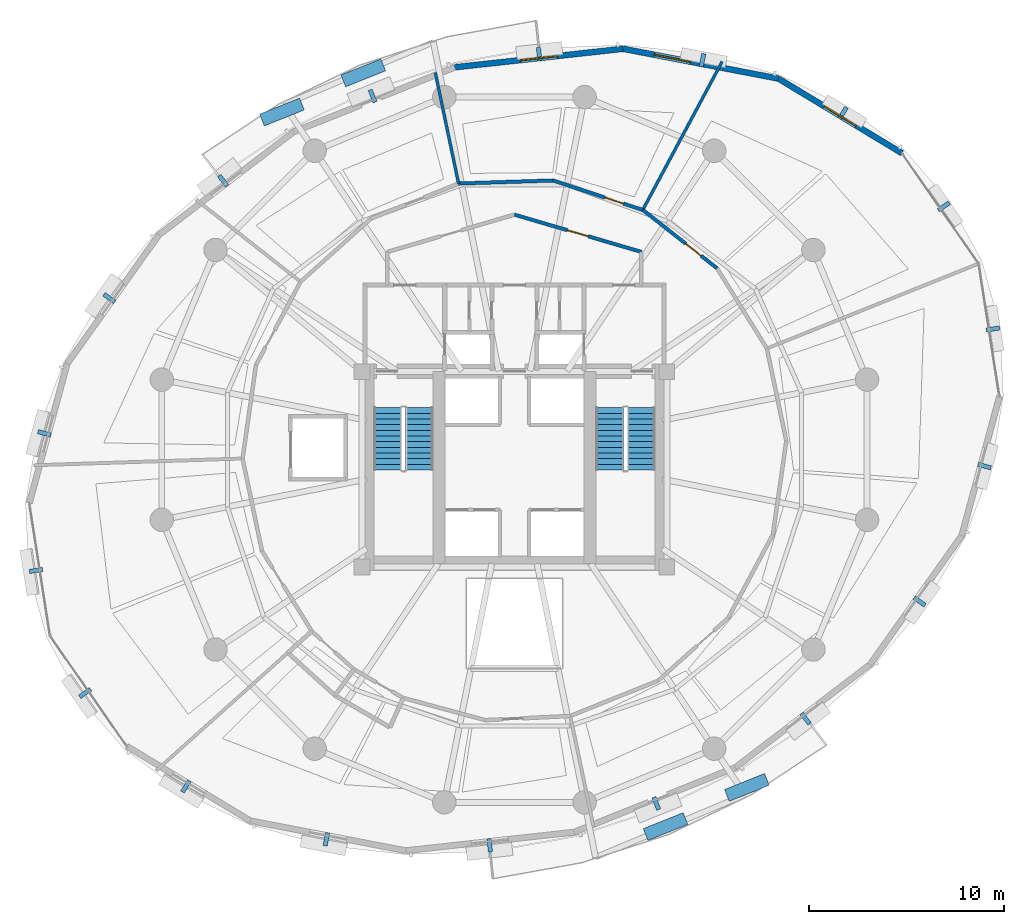
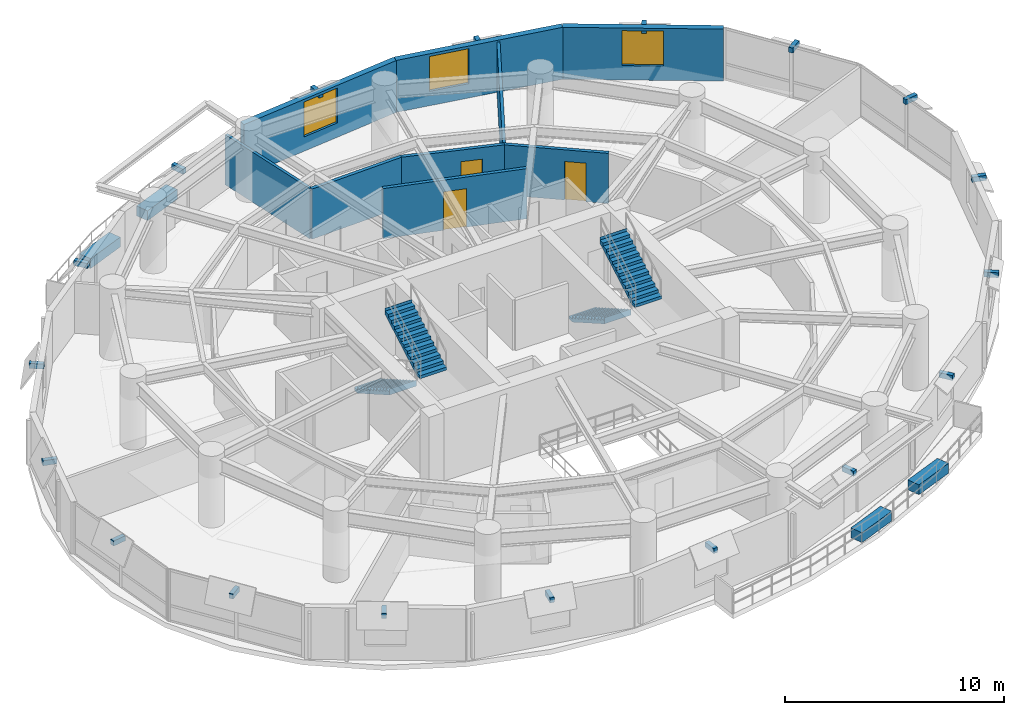
# One storey, part 12 of 14: 22 discrete accessories, 9 walls, 4 stair flights, 3 doors, 3 windows, 6 openings, 2 elements without a shape of their own.
"""IFC4 building model written with IfcOpenShell, lengths in metres."""

from ifc_helpers import new_model, si_unit, direction, frame, frame_2d, origin, origin_2d, place, context, subcontext, project, spatial, polyline, rectangle, outline, extrude, material, layer, layer_set, type_object, element, fill, aggregate, save


model = new_model("IFC4")

# Units and contexts
model_context = context("Model", 3, precision=1e-05, world=origin(), true_north=direction((0.0, 1.0)))
body_context = subcontext(model_context, "Body", "Model", "MODEL_VIEW")
ifc_project = project(units=[si_unit("LENGTHUNIT", "METRE"), si_unit("AREAUNIT", "SQUARE_METRE"), si_unit("VOLUMEUNIT", "CUBIC_METRE"), si_unit("PLANEANGLEUNIT", "RADIAN"), si_unit("MASSUNIT", "GRAM", prefix="KILO"), si_unit("THERMODYNAMICTEMPERATUREUNIT", "KELVIN"), si_unit("POWERUNIT", "WATT")], contexts=[model_context])

# Site, building, storey
site_placement = place(None, origin())
site = spatial("IfcSite", under=ifc_project, at=site_placement, CompositionType="ELEMENT")
building_placement = place(site_placement, origin())
building = spatial("IfcBuilding", under=site, at=building_placement, Name="Ocrelia Relay Tower", CompositionType="ELEMENT")
storey_placement = place(building_placement, frame((0.0, 0.0, 125.800048828125)))
storey = spatial("IfcBuildingStorey", under=building, at=storey_placement, Name="L29", CompositionType="ELEMENT", Elevation=125.800048828125)

# Wall, opening, door
ifc_material_1 = material(Name="Gypsum Fireboard Partition EI60", Category="gypsum")
ifc_layer_1 = layer(ifc_material_1, 0.179931640625, Name="Gypsum Fireboard Partition EI60")
ifc_layer_set_1 = layer_set([ifc_layer_1], Name="Gypsum Fireboard Partition EI60")
wall_type_1 = type_object("IfcWallType", Name="W-CORR-EI60-180", PredefinedType="PARTITIONING", material=ifc_layer_set_1)
wall_1_placement = place(storey_placement, frame((34.0, 38.030029296875, 0.0), z_axis=(0.0, 0.0, 1.0), x_axis=(0.959546654541, -0.281549671923, 0.0)))
wall_1 = element("IfcWall", 1, at=wall_1_placement, inside=storey, type_object=wall_type_1, Name="L29 North Smoke Lobby E Screen Wall", PredefinedType="PARTITIONING", context=body_context, shape_type="SweptSolid", body=[
    extrude(rectangle(XDim=6.77392578125, YDim=0.179931640625, at=frame_2d((3.386962890625, 0.0))), origin(), (0.0, 0.0, 1.0), 2.800048828125),
])
opening_1_placement = place(wall_1_placement, frame((2.8369140625, 0.0, 0.0)))
opening_1 = element("IfcOpeningElement", 2, at=opening_1_placement, cuts=wall_1, Name="Opening D-FD60", PredefinedType="OPENING", context=body_context, shape_type="SweptSolid", body=[
    extrude(rectangle(XDim=1.10009765625, YDim=2.14990234375, at=frame_2d((0.550048828125, 1.074951171875))), frame((0.0, 0.10009765625, 0.0), z_axis=(0.0, -1.0, 0.0), x_axis=(1.0, 0.0, 0.0)), (0.0, 0.0, 1.0), 0.199951171875),
])
ifc_material_2 = material(Name="Timber-core 60-min acoustic fire door", Category="wood")
door_type_1 = type_object("IfcDoorType", Name="DR-LOBBY-FD60-1100", OperationType="NOTDEFINED", PredefinedType="DOOR", material=ifc_material_2)
door_1_placement = place(opening_1_placement, origin())
door_1 = element("IfcDoor", 3, at=door_1_placement, inside=storey, type_object=door_type_1, Name="L29 North Smoke Lobby E Fire Door", OperationType="SINGLE_SWING_RIGHT", OverallHeight=2.14990234375, OverallWidth=1.10009765625, PredefinedType="DOOR", context=body_context, shape_type="SweptSolid", body=[
    extrude(rectangle(XDim=1.10009765625, YDim=2.14990234375, at=frame_2d((0.550048828125, 1.074951171875))), frame((0.0, 0.02490234375, 0.0), z_axis=(0.0, -1.0, 0.0), x_axis=(1.0, 0.0, 0.0)), (0.0, 0.0, 1.0), 0.050048828125),
])
fill(opening_1, door_1)

wall_2_placement = place(storey_placement, frame((44.368896484375, 35.287109375, 0.0), z_axis=(0.0, 0.0, 1.0), x_axis=(-0.786395437725, 0.617723413451, 0.0)))
wall_2 = element("IfcWall", 4, at=wall_2_placement, inside=storey, type_object=wall_type_1, Name="L29 Technical Reference Library Corridor Partition 2", PredefinedType="PARTITIONING", context=body_context, shape_type="SweptSolid", body=[
    extrude(rectangle(XDim=4.83447265625, YDim=0.179931640625, at=frame_2d((2.417236328125, 0.0))), origin(), (0.0, 0.0, 1.0), 2.800048828125),
])
opening_2_placement = place(wall_2_placement, frame((1.03369140625, 0.0, 0.0)))
opening_2 = element("IfcOpeningElement", 5, at=opening_2_placement, cuts=wall_2, Name="Opening D-RM100", PredefinedType="OPENING", context=body_context, shape_type="SweptSolid", body=[
    extrude(rectangle(XDim=1.0, YDim=2.14990234375, at=frame_2d((0.5, 1.074951171875))), frame((0.0, 0.10009765625, 0.0), z_axis=(0.0, -1.0, 0.0), x_axis=(1.0, 0.0, 0.0)), (0.0, 0.0, 1.0), 0.199951171875),
])
ifc_material_3 = material(Name="Acoustic oak veneer fire door", Category="wood")
door_type_2 = type_object("IfcDoorType", Name="DR-ROOM-FD60-1000", OperationType="NOTDEFINED", PredefinedType="DOOR", material=ifc_material_3)
door_2_placement = place(opening_2_placement, origin())
door_2 = element("IfcDoor", 6, at=door_2_placement, inside=storey, type_object=door_type_2, Name="L29 Technical Reference Library Entrance Door", OperationType="SINGLE_SWING_LEFT", OverallHeight=2.14990234375, OverallWidth=1.0, PredefinedType="DOOR", context=body_context, shape_type="SweptSolid", body=[
    extrude(rectangle(XDim=1.0, YDim=2.14990234375, at=frame_2d((0.5, 1.074951171875))), frame((0.0, 0.02490234375, 0.0), z_axis=(0.0, -1.0, 0.0), x_axis=(1.0, 0.0, 0.0)), (0.0, 0.0, 1.0), 0.050048828125),
])
fill(opening_2, door_2)

wall_3_placement = place(storey_placement, frame((40.567138671875, 38.2734375, 0.0), z_axis=(0.0, 0.0, 1.0), x_axis=(-0.950247186379, 0.311496845535, 0.0)))
wall_3 = element("IfcWall", 7, at=wall_3_placement, inside=storey, type_object=wall_type_1, Name="L29 Acoustic Media Room Corridor Partition 1", PredefinedType="PARTITIONING", context=body_context, shape_type="SweptSolid", body=[
    extrude(rectangle(XDim=4.834228515625, YDim=0.179931640625, at=frame_2d((2.4169921875, 0.0))), origin(), (0.0, 0.0, 1.0), 2.800048828125),
])
opening_3_placement = place(wall_3_placement, frame((1.03369140625, 0.0, 0.0)))
opening_3 = element("IfcOpeningElement", 8, at=opening_3_placement, cuts=wall_3, Name="Opening D-RM100", PredefinedType="OPENING", context=body_context, shape_type="SweptSolid", body=[
    extrude(rectangle(XDim=1.0, YDim=2.14990234375, at=frame_2d((0.5, 1.074951171875))), frame((0.0, 0.10009765625, 0.0), z_axis=(0.0, -1.0, 0.0), x_axis=(1.0, 0.0, 0.0)), (0.0, 0.0, 1.0), 0.199951171875),
])
door_3_placement = place(opening_3_placement, origin())
door_3 = element("IfcDoor", 9, at=door_3_placement, inside=storey, type_object=door_type_2, Name="L29 Acoustic Media Room Entrance Door", OperationType="SINGLE_SWING_RIGHT", OverallHeight=2.14990234375, OverallWidth=1.0, PredefinedType="DOOR", context=body_context, shape_type="SweptSolid", body=[
    extrude(rectangle(XDim=1.0, YDim=2.14990234375, at=frame_2d((0.5, 1.074951171875))), frame((0.0, 0.02490234375, 0.0), z_axis=(0.0, -1.0, 0.0), x_axis=(1.0, 0.0, 0.0)), (0.0, 0.0, 1.0), 0.050048828125),
])
fill(opening_3, door_3)

# Wall
wall_4_placement = place(storey_placement, frame((35.973388671875, 39.779296875, 0.0), z_axis=(0.0, 0.0, 1.0), x_axis=(-0.999479168972, -0.032270587084, 0.0)))
element("IfcWall", 10, at=wall_4_placement, inside=storey, type_object=wall_type_1, Name="L29 Acoustic Media Room Corridor Partition 2", PredefinedType="PARTITIONING", context=body_context, shape_type="SweptSolid", body=[
    extrude(rectangle(XDim=4.834228515625, YDim=0.179931640625, at=frame_2d((2.4169921875, 0.0))), origin(), (0.0, 0.0, 1.0), 2.800048828125),
])

# Wall, opening, window
ifc_material_4 = material(Name="Precast concrete C40/50 with oxide terracotta", Category="masonry")
ifc_layer_2 = layer(ifc_material_4, 0.300048828125, Name="Precast concrete C40/50 with oxide terracotta")
ifc_layer_set_2 = layer_set([ifc_layer_2], Name="Precast concrete C40/50 with oxide terracotta")
wall_type_2 = type_object("IfcWallType", Name="W-EXT-TERR-300", PredefinedType="SOLIDWALL", material=ifc_layer_set_2)
wall_5_placement = place(storey_placement, frame((53.8330078125, 41.17529296875, 0.0), z_axis=(0.0, 0.0, 1.0), x_axis=(-0.856004258132, 0.516968770875, 0.0)))
wall_5 = element("IfcWall", 11, at=wall_5_placement, inside=storey, type_object=wall_type_2, Name="L29 Oxide Terracotta Facade Wall 02", PredefinedType="SOLIDWALL", context=body_context, shape_type="SweptSolid", body=[
    extrude(rectangle(XDim=7.38330078125, YDim=0.300048828125, at=frame_2d((3.691650390625, 0.0))), origin(), (0.0, 0.0, 1.0), 2.89990234375),
])
opening_4_placement = place(wall_5_placement, frame((2.741943359375, 0.0, 0.800048828125)))
opening_4 = element("IfcOpeningElement", 12, at=opening_4_placement, cuts=wall_5, Name="Opening W-06", PredefinedType="OPENING", context=body_context, shape_type="SweptSolid", body=[
    extrude(rectangle(XDim=1.89990234375, YDim=1.949951171875, at=frame_2d((0.949951171875, 0.97509765625))), frame((0.0, 0.16015625, 0.0), z_axis=(0.0, -1.0, 0.0), x_axis=(1.0, 0.0, 0.0)), (0.0, 0.0, 1.0), 0.320068359375),
])
ifc_material_5 = material(Name="Clear double-glazed low-E glass", Category="glass")
window_type = type_object("IfcWindowType", Name="WIN-Z2-1900x2100", PartitioningType="DOUBLE_PANEL_VERTICAL", PredefinedType="WINDOW", material=ifc_material_5)
window_1_placement = place(opening_4_placement, origin())
window_1 = element("IfcWindow", 13, at=window_1_placement, inside=storey, type_object=window_type, Name="L29 Facade Module Window 02", OverallHeight=1.949951171875, OverallWidth=1.89990234375, PartitioningType="SINGLE_PANEL", PredefinedType="WINDOW", context=body_context, shape_type="SweptSolid", body=[
    extrude(rectangle(XDim=1.89990234375, YDim=1.949951171875, at=frame_2d((0.949951171875, 0.97509765625))), frame((0.0, 0.030029296875, 0.0), z_axis=(0.0, -1.0, 0.0), x_axis=(1.0, 0.0, 0.0)), (0.0, 0.0, 1.0), 0.06005859375),
])
fill(opening_4, window_1)

wall_6_placement = place(storey_placement, frame((47.512939453125, 44.9921875, 0.0), z_axis=(0.0, 0.0, 1.0), x_axis=(-0.982062977667, 0.188553196461, 0.0)))
wall_6 = element("IfcWall", 14, at=wall_6_placement, inside=storey, type_object=wall_type_2, Name="L29 Oxide Terracotta Facade Wall 03", PredefinedType="SOLIDWALL", context=body_context, shape_type="SweptSolid", body=[
    extrude(rectangle(XDim=8.09521484375, YDim=0.300048828125, at=frame_2d((4.047607421875, 0.0))), origin(), (0.0, 0.0, 1.0), 2.89990234375),
])
opening_5_placement = place(wall_6_placement, frame((4.580078125, 0.0, 0.800048828125)))
opening_5 = element("IfcOpeningElement", 15, at=opening_5_placement, cuts=wall_6, Name="Opening W-06", PredefinedType="OPENING", context=body_context, shape_type="SweptSolid", body=[
    extrude(rectangle(XDim=1.89990234375, YDim=1.949951171875, at=frame_2d((0.949951171875, 0.97509765625))), frame((0.0, 0.16015625, 0.0), z_axis=(0.0, -1.0, 0.0), x_axis=(1.0, 0.0, 0.0)), (0.0, 0.0, 1.0), 0.320068359375),
])
window_2_placement = place(opening_5_placement, origin())
window_2 = element("IfcWindow", 16, at=window_2_placement, inside=storey, type_object=window_type, Name="L29 Facade Module Window 03", OverallHeight=1.949951171875, OverallWidth=1.89990234375, PartitioningType="SINGLE_PANEL", PredefinedType="WINDOW", context=body_context, shape_type="SweptSolid", body=[
    extrude(rectangle(XDim=1.89990234375, YDim=1.949951171875, at=frame_2d((0.949951171875, 0.97509765625))), frame((0.0, 0.030029296875, 0.0), z_axis=(0.0, -1.0, 0.0), x_axis=(1.0, 0.0, 0.0)), (0.0, 0.0, 1.0), 0.06005859375),
])
fill(opening_5, window_2)

wall_7_placement = place(storey_placement, frame((39.56298828125, 46.5185546875, 0.0), z_axis=(0.0, 0.0, 1.0), x_axis=(-0.99400193871, -0.109362451697, 0.0)))
wall_7 = element("IfcWall", 17, at=wall_7_placement, inside=storey, type_object=wall_type_2, Name="L29 Oxide Terracotta Facade Wall 04", PredefinedType="SOLIDWALL", context=body_context, shape_type="SweptSolid", body=[
    extrude(rectangle(XDim=8.6728515625, YDim=0.300048828125, at=frame_2d((4.33642578125, 0.0))), origin(), (0.0, 0.0, 1.0), 2.89990234375),
])
opening_6_placement = place(wall_7_placement, frame((3.385986328125, 0.0, 0.800048828125)))
opening_6 = element("IfcOpeningElement", 18, at=opening_6_placement, cuts=wall_7, Name="Opening W-06", PredefinedType="OPENING", context=body_context, shape_type="SweptSolid", body=[
    extrude(rectangle(XDim=1.89990234375, YDim=1.949951171875, at=frame_2d((0.949951171875, 0.97509765625))), frame((0.0, 0.16015625, 0.0), z_axis=(0.0, -1.0, 0.0), x_axis=(1.0, 0.0, 0.0)), (0.0, 0.0, 1.0), 0.320068359375),
])
window_3_placement = place(opening_6_placement, origin())
window_3 = element("IfcWindow", 19, at=window_3_placement, inside=storey, type_object=window_type, Name="L29 Facade Module Window 04", OverallHeight=1.949951171875, OverallWidth=1.89990234375, PartitioningType="SINGLE_PANEL", PredefinedType="WINDOW", context=body_context, shape_type="SweptSolid", body=[
    extrude(rectangle(XDim=1.89990234375, YDim=1.949951171875, at=frame_2d((0.949951171875, 0.97509765625))), frame((0.0, 0.030029296875, 0.0), z_axis=(0.0, -1.0, 0.0), x_axis=(1.0, 0.0, 0.0)), (0.0, 0.0, 1.0), 0.06005859375),
])
fill(opening_6, window_3)

# Walls
ifc_material_6 = material(Name="Acoustic Fireboard Partition EI60", Category="gypsum")
ifc_layer_3 = layer(ifc_material_6, 0.14990234375, Name="Acoustic Fireboard Partition EI60")
ifc_layer_set_3 = layer_set([ifc_layer_3], Name="Acoustic Fireboard Partition EI60")
wall_type_3 = type_object("IfcWallType", Name="W-PART-150", PredefinedType="PARTITIONING", material=ifc_layer_set_3)
wall_8_placement = place(storey_placement, frame((40.567138671875, 38.2734375, 0.0), z_axis=(0.0, 0.0, 1.0), x_axis=(0.471771783587, 0.881720695125, 0.0)))
element("IfcWall", 20, at=wall_8_placement, inside=storey, type_object=wall_type_3, Name="L29 Technical Reference Library Radial Partition", PredefinedType="PARTITIONING", context=body_context, shape_type="SweptSolid", body=[
    extrude(rectangle(XDim=8.60498046875, YDim=0.14990234375, at=frame_2d((4.302490234375, 0.0))), origin(), (0.0, 0.0, 1.0), 2.800048828125),
])
wall_9_placement = place(storey_placement, frame((31.1416015625, 39.623291015625, 0.0), z_axis=(0.0, 0.0, 1.0), x_axis=(-0.205378628845, 0.978682593497, 0.0)))
element("IfcWall", 21, at=wall_9_placement, inside=storey, type_object=wall_type_3, Name="L29 Acoustic Media Room Radial Partition", PredefinedType="PARTITIONING", context=body_context, shape_type="SweptSolid", body=[
    extrude(rectangle(XDim=5.803466796875, YDim=0.14990234375, at=frame_2d((2.90185546875, 0.0))), origin(), (0.0, 0.0, 1.0), 2.800048828125),
])

# Stair, stair flights
ifc_material_7 = material(Name="Concrete C50/60", Category="concrete")
stair_type = type_object("IfcStairType", Name="ST-DL-1420-R167", PredefinedType="HALF_TURN_STAIR", material=ifc_material_7)
stair_1_placement = place(storey_placement, origin())
stair_1 = element("IfcStair", 22, at=stair_1_placement, inside=storey, type_object=stair_type, Name="L29 West Core Exit Stair ST1", PredefinedType="HALF_TURN_STAIR")
stair_flight_type = type_object("IfcStairFlightType", Name="STF-DL-1420-R167", PredefinedType="STRAIGHT", material=ifc_material_7)
stair_flight_1_placement = place(storey_placement, frame((27.52001953125, 28.14990234375, 0.0), z_axis=(0.0, 0.0, 1.0), x_axis=(0.0, -1.0, 0.0)))
stair_flight_1 = element("IfcStairFlight", 23, at=stair_flight_1_placement, type_object=stair_flight_type, Name="ST1 flight 1", NumberOfRisers=12, NumberOfTreads=11, PredefinedType="STRAIGHT", RiserHeight=0.166666667, TreadLength=0.29, context=body_context, shape_type="SweptSolid", body=[
    extrude(outline(polyline([(-0.008056640625, 0.0), (-0.008056640625, 0.166748046875), (0.0, 0.166748046875), (0.2900390625, 0.166748046875), (0.2900390625, 0.333251953125), (0.580078125, 0.333251953125), (0.580078125, 0.5), (0.8701171875, 0.5), (0.8701171875, 0.666748046875), (1.159912109375, 0.666748046875), (1.159912109375, 0.833251953125), (1.449951171875, 0.833251953125), (1.449951171875, 1.0), (1.739990234375, 1.0), (1.739990234375, 1.166748046875), (2.030029296875, 1.166748046875), (2.030029296875, 1.333251953125), (2.320068359375, 1.333251953125), (2.320068359375, 1.5), (2.610107421875, 1.5), (2.610107421875, 1.666748046875), (2.89990234375, 1.666748046875), (2.89990234375, 1.833251953125), (3.18994140625, 1.833251953125), (3.18994140625, 2.0), (3.197998046875, 2.0), (3.197998046875, 1.660400390625), (0.30078125, 0.0), (-0.008056640625, 0.0)])), frame((0.0, 0.7099609375, 0.0), z_axis=(0.0, -1.0, 0.0), x_axis=(1.0, 0.0, 0.0)), (0.0, 0.0, 1.0), 1.419921875),
])
stair_flight_2_placement = place(storey_placement, frame((29.139892578125, 24.9599609375, 2.0), z_axis=(0.0, 0.0, 1.0), x_axis=(0.0, 1.0, 0.0)))
stair_flight_2 = element("IfcStairFlight", 24, at=stair_flight_2_placement, type_object=stair_flight_type, Name="ST1 flight 2", NumberOfRisers=12, NumberOfTreads=11, PredefinedType="STRAIGHT", RiserHeight=0.166666667, TreadLength=0.29, context=body_context, shape_type="SweptSolid", body=[
    extrude(outline(polyline([(-0.008056640625, 0.0), (-0.008056640625, 0.166748046875), (0.0, 0.166748046875), (0.2900390625, 0.166748046875), (0.2900390625, 0.333251953125), (0.580078125, 0.333251953125), (0.580078125, 0.5), (0.8701171875, 0.5), (0.8701171875, 0.666748046875), (1.159912109375, 0.666748046875), (1.159912109375, 0.833251953125), (1.449951171875, 0.833251953125), (1.449951171875, 1.0), (1.739990234375, 1.0), (1.739990234375, 1.166748046875), (2.030029296875, 1.166748046875), (2.030029296875, 1.333251953125), (2.320068359375, 1.333251953125), (2.320068359375, 1.5), (2.610107421875, 1.5), (2.610107421875, 1.666748046875), (2.89990234375, 1.666748046875), (2.89990234375, 1.833251953125), (3.18994140625, 1.833251953125), (3.18994140625, 2.0), (3.197998046875, 2.0), (3.197998046875, 1.660400390625), (0.30078125, 0.0), (-0.008056640625, 0.0)])), frame((0.0, 0.7099609375, 0.0), z_axis=(0.0, -1.0, 0.0), x_axis=(1.0, 0.0, 0.0)), (0.0, 0.0, 1.0), 1.419921875),
])
aggregate(stair_1, [stair_flight_1, stair_flight_2])

stair_2_placement = place(storey_placement, origin())
stair_2 = element("IfcStair", 25, at=stair_2_placement, inside=storey, type_object=stair_type, Name="L29 East Core Exit Stair ST2", PredefinedType="HALF_TURN_STAIR")
stair_flight_3_placement = place(storey_placement, frame((38.8701171875, 28.14990234375, 0.0), z_axis=(0.0, 0.0, 1.0), x_axis=(0.0, -1.0, 0.0)))
stair_flight_3 = element("IfcStairFlight", 26, at=stair_flight_3_placement, type_object=stair_flight_type, Name="ST2 flight 1", NumberOfRisers=12, NumberOfTreads=11, PredefinedType="STRAIGHT", RiserHeight=0.166666667, TreadLength=0.29, context=body_context, shape_type="SweptSolid", body=[
    extrude(outline(polyline([(-0.008056640625, 0.0), (-0.008056640625, 0.166748046875), (0.0, 0.166748046875), (0.2900390625, 0.166748046875), (0.2900390625, 0.333251953125), (0.580078125, 0.333251953125), (0.580078125, 0.5), (0.8701171875, 0.5), (0.8701171875, 0.666748046875), (1.159912109375, 0.666748046875), (1.159912109375, 0.833251953125), (1.449951171875, 0.833251953125), (1.449951171875, 1.0), (1.739990234375, 1.0), (1.739990234375, 1.166748046875), (2.030029296875, 1.166748046875), (2.030029296875, 1.333251953125), (2.320068359375, 1.333251953125), (2.320068359375, 1.5), (2.610107421875, 1.5), (2.610107421875, 1.666748046875), (2.89990234375, 1.666748046875), (2.89990234375, 1.833251953125), (3.18994140625, 1.833251953125), (3.18994140625, 2.0), (3.197998046875, 2.0), (3.197998046875, 1.660400390625), (0.30078125, 0.0), (-0.008056640625, 0.0)])), frame((0.0, 0.7099609375, 0.0), z_axis=(0.0, -1.0, 0.0), x_axis=(1.0, 0.0, 0.0)), (0.0, 0.0, 1.0), 1.419921875),
])
stair_flight_4_placement = place(storey_placement, frame((40.489990234375, 24.9599609375, 2.0), z_axis=(0.0, 0.0, 1.0), x_axis=(0.0, 1.0, 0.0)))
stair_flight_4 = element("IfcStairFlight", 27, at=stair_flight_4_placement, type_object=stair_flight_type, Name="ST2 flight 2", NumberOfRisers=12, NumberOfTreads=11, PredefinedType="STRAIGHT", RiserHeight=0.166666667, TreadLength=0.29, context=body_context, shape_type="SweptSolid", body=[
    extrude(outline(polyline([(-0.008056640625, 0.0), (-0.008056640625, 0.166748046875), (0.0, 0.166748046875), (0.2900390625, 0.166748046875), (0.2900390625, 0.333251953125), (0.580078125, 0.333251953125), (0.580078125, 0.5), (0.8701171875, 0.5), (0.8701171875, 0.666748046875), (1.159912109375, 0.666748046875), (1.159912109375, 0.833251953125), (1.449951171875, 0.833251953125), (1.449951171875, 1.0), (1.739990234375, 1.0), (1.739990234375, 1.166748046875), (2.030029296875, 1.166748046875), (2.030029296875, 1.333251953125), (2.320068359375, 1.333251953125), (2.320068359375, 1.5), (2.610107421875, 1.5), (2.610107421875, 1.666748046875), (2.89990234375, 1.666748046875), (2.89990234375, 1.833251953125), (3.18994140625, 1.833251953125), (3.18994140625, 2.0), (3.197998046875, 2.0), (3.197998046875, 1.660400390625), (0.30078125, 0.0), (-0.008056640625, 0.0)])), frame((0.0, 0.7099609375, 0.0), z_axis=(0.0, -1.0, 0.0), x_axis=(1.0, 0.0, 0.0)), (0.0, 0.0, 1.0), 1.419921875),
])
aggregate(stair_2, [stair_flight_3, stair_flight_4])

# Discrete accessories
ifc_material_8 = material(Name="Precast concrete C40/50 planter with highland greenery", Category="concrete")
discrete_accessory_type_1 = type_object("IfcDiscreteAccessoryType", Name="ACC-BALC-PLANTER", PredefinedType="USERDEFINED", material=ifc_material_8)
for number, where, z_axis, x_axis, name in (
    (28, (26.26708984375, 45.284912109375, 0.0), (0.0, 0.0, 1.0), (0.92816116901, 0.372178511393, 0.0), "L29 Balcony Terracotta Planter with Greenery B1"),
    (29, (22.10205078125, 43.281005859375, 0.0), (0.0, 0.0, 1.0), (0.92816116901, 0.372178511393, 0.0), "L29 Balcony Terracotta Planter B1-2"),
    (30, (41.73291015625, 6.715087890625, 0.0), (0.0, 0.0, 1.0), (-0.92816116901, -0.372178511393, 0.0), "L29 Balcony Terracotta Planter with Greenery B2"),
    (31, (45.89794921875, 8.718994140625, 0.0), (0.0, 0.0, 1.0), (-0.92816116901, -0.372178511393, 0.0), "L29 Balcony Terracotta Planter B2-2"),
):
    element("IfcDiscreteAccessory", number, at=place(storey_placement, frame(where, z_axis=z_axis, x_axis=x_axis)), inside=storey, type_object=discrete_accessory_type_1, Name=name, ObjectType="PLANTER", PredefinedType="USERDEFINED", context=body_context, shape_type="SweptSolid", body=[
        extrude(rectangle(XDim=2.199951171875, YDim=0.64990234375, at=origin_2d()), origin(), (0.0, 0.0, 1.0), 0.550048828125),
    ])
ifc_material_9 = material(Name="Steel S355", Category="steel")
discrete_accessory_type_2 = type_object("IfcDiscreteAccessoryType", Name="ACC-VISOR-BRACKET", PredefinedType="BRACKET", material=ifc_material_9)
for number, where, z_axis, x_axis, name in (
    (32, (55.970947265625, 38.4501953125, 2.60009765625), (0.0, 0.0, 1.0), (-0.570993357289, 0.820954679585, 0.0), "L29 Visor Mounting Bracket 01"),
    (33, (50.812744140625, 43.226806640625, 2.60009765625), (0.0, 0.0, 1.0), (-0.855989468256, 0.51699325937, 0.0), "L29 Visor Mounting Bracket 02"),
    (34, (43.625, 45.935546875, 2.60009765625), (0.0, 0.0, 1.0), (-0.982064289784, 0.188546362284, 0.0), "L29 Visor Mounting Bracket 03"),
    (35, (35.26513671875, 46.243896484375, 2.60009765625), (0.0, 0.0, 1.0), (-0.994001836836, -0.10936337763, 0.0), "L29 Visor Mounting Bracket 04"),
    (36, (26.74169921875, 44.101318359375, 2.60009765625), (0.0, 0.0, 1.0), (-0.928159870713, -0.372181749146, 0.0), "L29 Visor Mounting Bracket 05"),
    (37, (19.09912109375, 39.76171875, 2.60009765625), (0.0, 0.0, 1.0), (-0.79419056665, -0.607668778073, 0.0), "L29 Visor Mounting Bracket 06"),
    (38, (13.268310546875, 33.762939453125, 2.60009765625), (0.0, 0.0, 1.0), (-0.579735622714, -0.814804643922, 0.0), "L29 Visor Mounting Bracket 07"),
    (39, (9.943115234375, 26.8388671875, 2.60009765625), (0.0, 0.0, 1.0), (-0.261673095661, -0.965156562951, 0.0), "L29 Visor Mounting Bracket 08"),
    (40, (9.51416015625, 19.821533203125, 2.60009765625), (0.0, 0.0, 1.0), (0.154379097489, -0.988011687309, 0.0), "L29 Visor Mounting Bracket 09"),
    (41, (12.029052734375, 13.5498046875, 2.60009765625), (0.0, 0.0, 1.0), (0.570993357289, -0.820954679585, 0.0), "L29 Visor Mounting Bracket 10"),
    (42, (17.187255859375, 8.773193359375, 2.60009765625), (0.0, 0.0, 1.0), (0.855989468256, -0.51699325937, 0.0), "L29 Visor Mounting Bracket 11"),
    (43, (24.375, 6.064453125, 2.60009765625), (0.0, 0.0, 1.0), (0.982064289784, -0.188546362284, 0.0), "L29 Visor Mounting Bracket 12"),
    (44, (32.73486328125, 5.756103515625, 2.60009765625), (0.0, 0.0, 1.0), (0.994001836836, 0.10936337763, 0.0), "L29 Visor Mounting Bracket 13"),
    (45, (41.25830078125, 7.898681640625, 2.60009765625), (0.0, 0.0, 1.0), (0.928159870713, 0.372181749146, 0.0), "L29 Visor Mounting Bracket 14"),
    (46, (48.90087890625, 12.23828125, 2.60009765625), (0.0, 0.0, 1.0), (0.79419056665, 0.607668778073, 0.0), "L29 Visor Mounting Bracket 15"),
    (47, (54.731689453125, 18.237060546875, 2.60009765625), (0.0, 0.0, 1.0), (0.579735622714, 0.814804643922, 0.0), "L29 Visor Mounting Bracket 16"),
    (48, (58.056884765625, 25.1611328125, 2.60009765625), (0.0, 0.0, 1.0), (0.261673095661, 0.965156562951, 0.0), "L29 Visor Mounting Bracket 17"),
    (49, (58.48583984375, 32.178466796875, 2.60009765625), (0.0, 0.0, 1.0), (-0.154379097489, 0.988011687309, 0.0), "L29 Visor Mounting Bracket 18"),
):
    element("IfcDiscreteAccessory", number, at=place(storey_placement, frame(where, z_axis=z_axis, x_axis=x_axis)), inside=storey, type_object=discrete_accessory_type_2, Name=name, PredefinedType="BRACKET", context=body_context, shape_type="SweptSolid", body=[
        extrude(rectangle(XDim=0.219970703125, YDim=0.679931640625, at=origin_2d()), origin(), (0.0, 0.0, 1.0), 0.280029296875),
    ])

save(model, "model.ifc")
